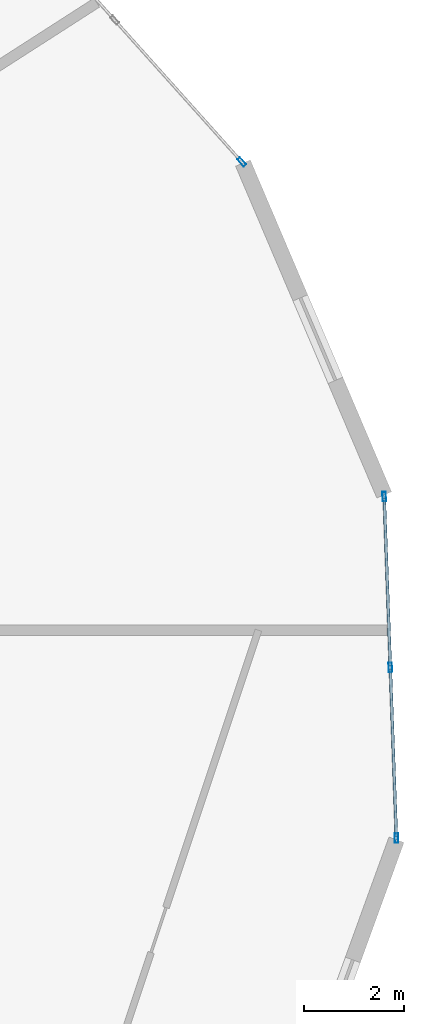
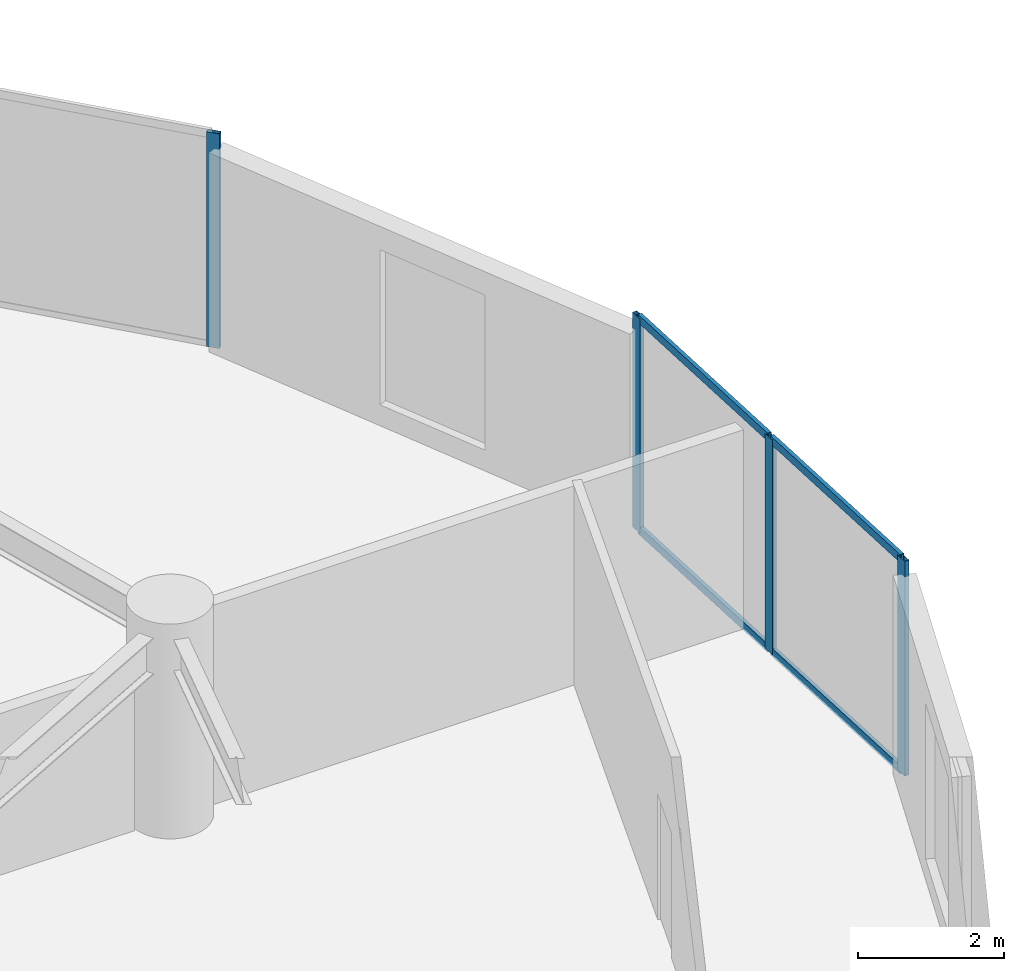
# One storey, part 10 of 23: 8 members, 2 elements without a shape of their own.
"""IFC4 building model written with IfcOpenShell, lengths in metres."""

from ifc_helpers import new_model, si_unit, direction, frame, origin, origin_2d, place, context, subcontext, project, spatial, hollow_rectangle, extrude, source, transform, mapped, material, layer, layer_set, material_profile, profile_set, type_object, element, aggregate, save


model = new_model("IFC4")

# Units and contexts
model_context = context("Model", 3, precision=1e-05, world=origin(), true_north=direction((0.0, 1.0)))
body_context = subcontext(model_context, "Body", "Model", "MODEL_VIEW")
ifc_project = project(units=[si_unit("LENGTHUNIT", "METRE"), si_unit("AREAUNIT", "SQUARE_METRE"), si_unit("VOLUMEUNIT", "CUBIC_METRE"), si_unit("PLANEANGLEUNIT", "RADIAN"), si_unit("MASSUNIT", "GRAM", prefix="KILO")], contexts=[model_context])

# Site, building, storey
site_placement = place(None, origin())
site = spatial("IfcSite", under=ifc_project, at=site_placement, CompositionType="ELEMENT")
building_placement = place(site_placement, origin())
building = spatial("IfcBuilding", under=site, at=building_placement, Name="Solvirekh Grand Hotel", CompositionType="ELEMENT")
storey_placement = place(building_placement, frame((0.0, 0.0, 42.800048828125)))
storey = spatial("IfcBuildingStorey", under=building, at=storey_placement, Name="L09", CompositionType="ELEMENT", Elevation=42.800048828125)

# Curtain wall, members
ifc_material = material(Name="Anodized Bronze Aluminium 6063-T6", Category="aluminium")
ifc_layer = layer(ifc_material, 0.18994140625)
ifc_layer_set = layer_set([ifc_layer], Name="Anodized Bronze Aluminium 6063-T6")
curtain_wall_type = type_object("IfcCurtainWallType", Name="CW_Sys2_LowZoneFlushBronzeCW", PredefinedType="NOTDEFINED", material=ifc_layer_set)
curtain_wall_1_placement = place(storey_placement, origin())
curtain_wall_1 = element("IfcCurtainWall", 1, at=curtain_wall_1_placement, inside=storey, type_object=curtain_wall_type, Name="L09 unitised bronze-glass curtain wall CW-L09-C01", PredefinedType="NOTDEFINED")
ifc_material_profile_1 = material_profile(ifc_material, hollow_rectangle(XDim=0.06005859375, YDim=0.135009765625, WallThickness=0.00390625, at=origin_2d()), Name="ALU RHS 135X60X4")
ifc_profile_set_1 = profile_set([ifc_material_profile_1], Name="Anodized Bronze Aluminium 6063-T6")
member_type_1 = type_object("IfcMemberType", Name="CWTransom_Sys2", PredefinedType="USERDEFINED", material=ifc_profile_set_1)
shared_shape_1 = source(origin(), body_context, "Body", "SweptSolid", [
    extrude(hollow_rectangle(XDim=0.06005859375, YDim=0.135009765625, WallThickness=0.00390625, at=origin_2d()), origin(), (0.0, 0.0, 1.0), 3.357666015625),
])
member_1_placement = place(storey_placement, frame((27.818603515625, -4.135009765625, 0.030029296875), z_axis=(-0.035701904798, 0.999362483783, 0.0), x_axis=(-0.999362483783, -0.035701904798, 0.0)))
member_1 = element("IfcMember", 2, at=member_1_placement, type_object=member_type_1, Name="U02 transom 1.1", ObjectType="TRANSOM", PredefinedType="USERDEFINED", context=body_context, shape_type="MappedRepresentation", body=[
    mapped(shared_shape_1, transform((0.0, 0.0, 0.0), x_axis=(1.0, 0.0, 0.0), y_axis=(0.0, 1.0, 0.0), z_axis=(0.0, 0.0, 1.0), scale=1.0)),
])
member_2_placement = place(storey_placement, frame((27.818603515625, -4.135009765625, 3.570068359375), z_axis=(-0.035701904798, 0.999362483783, 0.0), x_axis=(-0.999362483783, -0.035701904798, 0.0)))
member_2 = element("IfcMember", 3, at=member_2_placement, type_object=member_type_1, Name="U02 transom 1.2", ObjectType="TRANSOM", PredefinedType="USERDEFINED", context=body_context, shape_type="MappedRepresentation", body=[
    mapped(shared_shape_1, transform((0.0, 0.0, 0.0), x_axis=(1.0, 0.0, 0.0), y_axis=(0.0, 1.0, 0.0), z_axis=(0.0, 0.0, 1.0), scale=1.0)),
])
member_3_placement = place(storey_placement, frame((27.6962890625, -0.70947265625, 0.030029296875), z_axis=(-0.035701904798, 0.999362483783, 0.0), x_axis=(-0.999362483783, -0.035701904798, 0.0)))
member_3 = element("IfcMember", 4, at=member_3_placement, type_object=member_type_1, Name="U02 transom 2.1", ObjectType="TRANSOM", PredefinedType="USERDEFINED", context=body_context, shape_type="MappedRepresentation", body=[
    mapped(shared_shape_1, transform((0.0, 0.0, 0.0), x_axis=(1.0, 0.0, 0.0), y_axis=(0.0, 1.0, 0.0), z_axis=(0.0, 0.0, 1.0), scale=1.0)),
])
member_4_placement = place(storey_placement, frame((27.6962890625, -0.70947265625, 3.570068359375), z_axis=(-0.035701904798, 0.999362483783, 0.0), x_axis=(-0.999362483783, -0.035701904798, 0.0)))
member_4 = element("IfcMember", 5, at=member_4_placement, type_object=member_type_1, Name="U02 transom 2.2", ObjectType="TRANSOM", PredefinedType="USERDEFINED", context=body_context, shape_type="MappedRepresentation", body=[
    mapped(shared_shape_1, transform((0.0, 0.0, 0.0), x_axis=(1.0, 0.0, 0.0), y_axis=(0.0, 1.0, 0.0), z_axis=(0.0, 0.0, 1.0), scale=1.0)),
])
ifc_material_profile_2 = material_profile(ifc_material, hollow_rectangle(XDim=0.070068359375, YDim=0.18994140625, WallThickness=0.0048828125, at=origin_2d()), Name="ALU RHS 190X70X5")
ifc_profile_set_2 = profile_set([ifc_material_profile_2], Name="Anodized Bronze Aluminium 6063-T6")
member_type_2 = type_object("IfcMemberType", Name="CWMullion_Sys2", PredefinedType="MULLION", material=ifc_profile_set_2)
shared_shape_2 = source(origin(), body_context, "Body", "SweptSolid", [
    extrude(hollow_rectangle(XDim=0.070068359375, YDim=0.18994140625, WallThickness=0.0048828125, at=origin_2d()), origin(), (0.0, 0.0, 1.0), 3.599853515625),
])
member_5_placement = place(storey_placement, frame((27.81982421875, -4.169921875, 0.0), z_axis=(0.0, 0.0, 1.0), x_axis=(-0.999363773735, -0.035665778374, 0.0)))
member_5 = element("IfcMember", 6, at=member_5_placement, type_object=member_type_2, Name="U02 mullion 1", PredefinedType="MULLION", context=body_context, shape_type="MappedRepresentation", body=[
    mapped(shared_shape_2, transform((0.0, 0.0, 0.0), x_axis=(1.0, 0.0, 0.0), y_axis=(0.0, 1.0, 0.0), z_axis=(0.0, 0.0, 1.0), scale=1.0)),
])
member_6_placement = place(storey_placement, frame((27.697509765625, -0.744384765625, 0.0), z_axis=(0.0, 0.0, 1.0), x_axis=(-0.999363773735, -0.035665778374, 0.0)))
member_6 = element("IfcMember", 7, at=member_6_placement, type_object=member_type_2, Name="U02 mullion 2", PredefinedType="MULLION", context=body_context, shape_type="MappedRepresentation", body=[
    mapped(shared_shape_2, transform((0.0, 0.0, 0.0), x_axis=(1.0, 0.0, 0.0), y_axis=(0.0, 1.0, 0.0), z_axis=(0.0, 0.0, 1.0), scale=1.0)),
])
member_7_placement = place(storey_placement, frame((27.5751953125, 2.680908203125, 0.0), z_axis=(0.0, 0.0, 1.0), x_axis=(-0.999363773735, -0.035665778374, 0.0)))
member_7 = element("IfcMember", 8, at=member_7_placement, type_object=member_type_2, Name="U02 mullion 3", PredefinedType="MULLION", context=body_context, shape_type="MappedRepresentation", body=[
    mapped(shared_shape_2, transform((0.0, 0.0, 0.0), x_axis=(1.0, 0.0, 0.0), y_axis=(0.0, 1.0, 0.0), z_axis=(0.0, 0.0, 1.0), scale=1.0)),
])
aggregate(curtain_wall_1, [member_5, member_6, member_7, member_1, member_2, member_3, member_4])

# Curtain wall, member
curtain_wall_2_placement = place(storey_placement, origin())
curtain_wall_2 = element("IfcCurtainWall", 9, at=curtain_wall_2_placement, inside=storey, type_object=curtain_wall_type, Name="L09 unitised bronze-glass curtain wall CW-L09-C03", PredefinedType="NOTDEFINED")
member_8_placement = place(storey_placement, frame((24.717529296875, 9.39697265625, 0.0), z_axis=(0.0, 0.0, 1.0), x_axis=(-0.744725132095, -0.667371319152, 0.0)))
member_8 = element("IfcMember", 10, at=member_8_placement, type_object=member_type_2, Name="U02 mullion 1", PredefinedType="MULLION", context=body_context, shape_type="MappedRepresentation", body=[
    mapped(shared_shape_2, transform((0.0, 0.0, 0.0), x_axis=(1.0, 0.0, 0.0), y_axis=(0.0, 1.0, 0.0), z_axis=(0.0, 0.0, 1.0), scale=1.0)),
])
aggregate(curtain_wall_2, [member_8])

save(model, "model.ifc")
